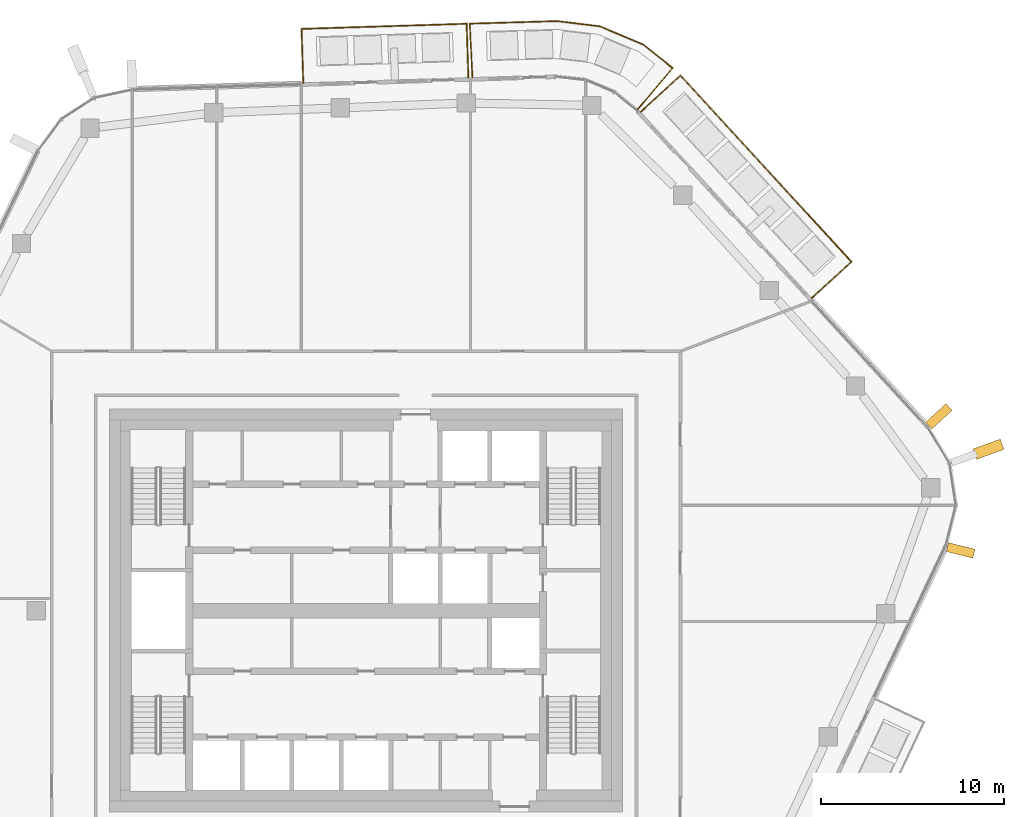
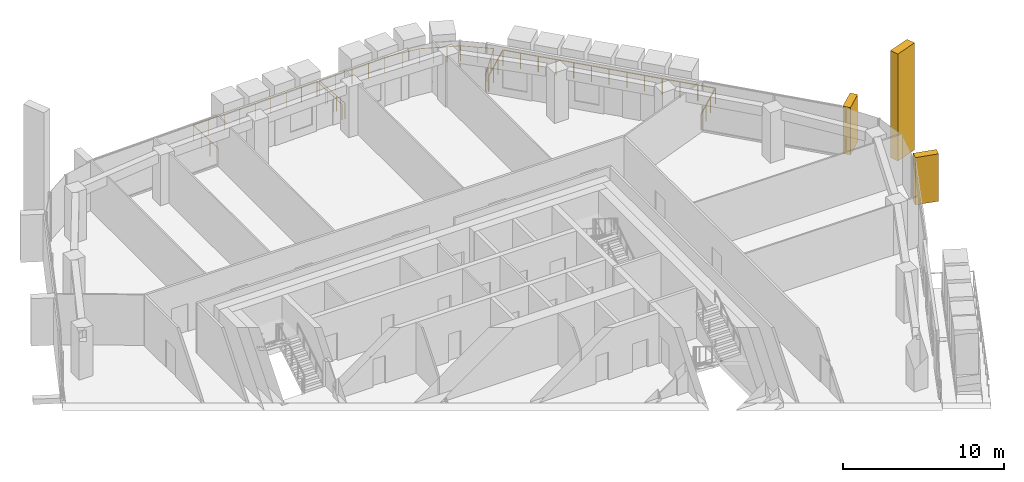
# One storey, part 24 of 24: 3 coverings, 3 railings, 2 elements without a shape of their own.
"""IFC4 building model written with IfcOpenShell, lengths in metres."""

import ifcopenshell
import ifcopenshell.guid

model = None  # the IFC model being written
_history = None  # IfcOwnerHistory: only IFC2X3 demands one
_inside = {}  # id of a spatial element -> (the spatial element, [elements in it])
_under = {}  # id of a project, library or spatial element -> (it, [spatial elements below it])
_declared = {}  # id of a project -> (the project, [libraries it declares])
_typed = {}  # id of a type object -> (the type object, [elements of that type])
_made_of = {}  # id of a material, layer set ... -> (it, [elements and type objects made of it])


def new_model(schema):
    """Start an empty IFC model of exactly this schema.

    Asked for "IFC4X3", IfcOpenShell would pick the latest addendum, in which some entities
    have other attributes; the version numbers below select the first issue.
    IFC2X3 requires an IfcOwnerHistory on every rooted entity: one is made here for all.
    """
    global model, _history
    if schema == "IFC4X3":
        model = ifcopenshell.file(schema_version=(4, 3, 0, 0))
    else:
        model = ifcopenshell.file(schema=schema)
    _inside.clear()
    _under.clear()
    _declared.clear()
    _typed.clear()
    _made_of.clear()
    _history = None
    if model.schema == "IFC2X3":
        org = make("IfcOrganization", Name="unknown")
        user = make(
            "IfcPersonAndOrganization",
            ThePerson=make("IfcPerson", FamilyName="unknown"),
            TheOrganization=org,
        )
        app = make(
            "IfcApplication",
            ApplicationDeveloper=org,
            Version="unknown",
            ApplicationFullName="unknown",
            ApplicationIdentifier="unknown",
        )
        _history = make(
            "IfcOwnerHistory",
            OwningUser=user,
            OwningApplication=app,
            ChangeAction="ADDED",
            CreationDate=0,
        )
    return model


def make(cls, **values):
    """One entity of the class cls with the attributes given. An attribute that is None is left unset."""
    return model.create_entity(
        cls, **{name: value for name, value in values.items() if value is not None}
    )


def rooted(cls, **values):
    """An entity with a GlobalId (a new one), such as an element, a storey or a relation."""
    return make(cls, GlobalId=ifcopenshell.guid.new(), OwnerHistory=_history, **values)


def si_unit(unit_type, name, prefix=None):
    """IfcSIUnit, for example si_unit("LENGTHUNIT", "METRE", prefix="MILLI")."""
    return make("IfcSIUnit", UnitType=unit_type, Prefix=prefix, Name=name)


def assignment(units):
    """IfcUnitAssignment: the units of a project."""
    return None if units is None else make("IfcUnitAssignment", Units=units)


def point(xyz):
    """IfcCartesianPoint."""
    return None if xyz is None else make("IfcCartesianPoint", Coordinates=xyz)


def direction(xyz):
    """IfcDirection."""
    return None if xyz is None else make("IfcDirection", DirectionRatios=xyz)


def frame(location, z_axis=None, x_axis=None):
    """IfcAxis2Placement3D, a coordinate frame: its origin and axes. An axis left out is left unset."""
    return make(
        "IfcAxis2Placement3D",
        Location=point(location),
        Axis=direction(z_axis),
        RefDirection=direction(x_axis),
    )


def frame_2d(location, x_axis=None):
    """IfcAxis2Placement2D, a coordinate frame in the plane: its origin and x axis."""
    return make(
        "IfcAxis2Placement2D", Location=point(location), RefDirection=direction(x_axis)
    )


def origin():
    """The frame at (0, 0, 0) with its axes left unset."""
    return frame((0.0, 0.0, 0.0))


def origin_2d():
    """The frame at (0, 0) in the plane with its x axis left unset."""
    return frame_2d((0.0, 0.0))


def place(relative_to, where):
    """IfcLocalPlacement: puts the frame where relative to a parent placement (None: the world)."""
    return make(
        "IfcLocalPlacement", PlacementRelTo=relative_to, RelativePlacement=where
    )


def context(
    kind, dimensions, precision=None, world=None, true_north=None, identifier=None
):
    """IfcGeometricRepresentationContext, for example the 3D "Model" context."""
    return make(
        "IfcGeometricRepresentationContext",
        ContextIdentifier=identifier,
        ContextType=kind,
        CoordinateSpaceDimension=dimensions,
        Precision=precision,
        WorldCoordinateSystem=world,
        TrueNorth=true_north,
    )


def subcontext(parent, identifier, kind, view, scale=None):
    """IfcGeometricRepresentationSubContext, for example "Body" below "Model"."""
    return make(
        "IfcGeometricRepresentationSubContext",
        ContextIdentifier=identifier,
        ContextType=kind,
        ParentContext=parent,
        TargetScale=scale,
        TargetView=view,
    )


def project(units=None, contexts=None):
    """IfcProject with its units and contexts."""
    return rooted(
        "IfcProject",
        Name="project",
        RepresentationContexts=contexts,
        UnitsInContext=assignment(units),
    )


def spatial(cls, under=None, at=None, **own):
    """A site, building, storey or space (cls), placed at a placement, below another one or the project."""
    s = rooted(cls, ObjectPlacement=at, **own)
    if under is not None:
        _under.setdefault(under.id(), (under, []))[1].append(s)
    return s


def profile(cls, at=None, kind="AREA", **sizes):
    """A parametric profile (cls). Its sizes go by their IFC names, for example OverallWidth=200.0."""
    return make(cls, ProfileType=kind, Position=at, **sizes)


def rectangle(**sizes):
    """IfcRectangleProfileDef."""
    return profile("IfcRectangleProfileDef", **sizes)


def circle(**sizes):
    """IfcCircleProfileDef."""
    return profile("IfcCircleProfileDef", **sizes)


def extrude(swept, where, along, depth):
    """IfcExtrudedAreaSolid: the profile swept, set in the frame where, extruded along a direction by depth."""
    return make(
        "IfcExtrudedAreaSolid",
        SweptArea=swept,
        Position=where,
        ExtrudedDirection=direction(along),
        Depth=depth,
    )


def shape(context_of_items, identifier, shape_type, items):
    """IfcShapeRepresentation: the items that make up one representation, for example the "Body"."""
    return make(
        "IfcShapeRepresentation",
        ContextOfItems=context_of_items,
        RepresentationIdentifier=identifier,
        RepresentationType=shape_type,
        Items=items,
    )


def material(Name=None, Category=None):
    """IfcMaterial."""
    return make("IfcMaterial", Name=Name, Category=Category)


def layer(
    of_material, thickness, ventilated=None, Name=None, Category=None, Priority=None
):
    """IfcMaterialLayer: one layer of a wall or slab, of a material (None: an air gap)."""
    return make(
        "IfcMaterialLayer",
        Material=of_material,
        LayerThickness=thickness,
        IsVentilated=ventilated,
        Name=Name,
        Category=Category,
        Priority=Priority,
    )


def layer_set(layers, Name=None):
    """IfcMaterialLayerSet."""
    return make("IfcMaterialLayerSet", MaterialLayers=layers, LayerSetName=Name)


def material_profile(
    of_material, cross_section, Name=None, Category=None, Priority=None
):
    """IfcMaterialProfile: a cross section and its material."""
    return make(
        "IfcMaterialProfile",
        Name=Name,
        Material=of_material,
        Profile=cross_section,
        Priority=Priority,
        Category=Category,
    )


def profile_set(profiles, Name=None, composite=None):
    """IfcMaterialProfileSet."""
    return make(
        "IfcMaterialProfileSet",
        Name=Name,
        MaterialProfiles=profiles,
        CompositeProfile=composite,
    )


def made_of(thing, what):
    """Note that an element or type object is made of a material, layer set ...; save() writes the relation."""
    if what is not None:
        _made_of.setdefault(what.id(), (what, []))[1].append(thing)
    return thing


def type_object(cls, material=None, **own):
    """A type object (cls), such as IfcWallType, which elements share."""
    return made_of(rooted(cls, **own), material)


def element(
    cls,
    number,
    at=None,
    inside=None,
    cuts=None,
    type_object=None,
    material=None,
    context=None,
    identifier="Body",
    shape_type=None,
    held_by="IfcProductDefinitionShape",
    body=None,
    shapes=None,
    **own,
):
    """One element of the class cls, such as IfcWall. Its Tag is "e" and its number.

    at: its placement. inside: the storey or other place that contains it. cuts: it is an
    opening in that element (IfcRelVoidsElement). A single representation is given by context,
    identifier, shape_type and body (its items); several are given by shapes. held_by: the class
    of the entity that holds the representations. save() writes the other relations.
    """
    e = rooted(cls, Tag="e%d" % number, ObjectPlacement=at, **own)
    if body is not None:
        shapes = [shape(context, identifier, shape_type, body)]
    if shapes is not None:
        e.Representation = make(held_by, Representations=shapes)
    if inside is not None:
        _inside.setdefault(inside.id(), (inside, []))[1].append(e)
    if cuts is not None:
        rooted(
            "IfcRelVoidsElement", RelatingBuildingElement=cuts, RelatedOpeningElement=e
        )
    if type_object is not None:
        _typed.setdefault(type_object.id(), (type_object, []))[1].append(e)
    return made_of(e, material)


def aggregate(whole, parts):
    """IfcRelAggregates: a whole, such as a stair, and the parts it consists of."""
    return rooted("IfcRelAggregates", RelatingObject=whole, RelatedObjects=parts)


def save(model, path):
    """Write the relations noted so far, then the file.

    IfcRelAggregates (storeys below a building ...), IfcRelContainedInSpatialStructure (elements
    in a storey), IfcRelDefinesByType, IfcRelAssociatesMaterial and IfcRelDeclares: one each for
    every whole, place, type object, material and project.
    """
    for whole, parts in _under.values():
        aggregate(whole, parts)
    for where, things in _inside.values():
        rooted(
            "IfcRelContainedInSpatialStructure",
            RelatedElements=things,
            RelatingStructure=where,
        )
    for kind, things in _typed.values():
        rooted("IfcRelDefinesByType", RelatedObjects=things, RelatingType=kind)
    for what, things in _made_of.values():
        rooted("IfcRelAssociatesMaterial", RelatedObjects=things, RelatingMaterial=what)
    for by, libraries in _declared.values():
        rooted("IfcRelDeclares", RelatingContext=by, RelatedDefinitions=libraries)
    model.write(path)


model = new_model("IFC4")

# Units and contexts
model_context = context("Model", 3, precision=1e-05, world=origin(), true_north=direction((0.0, 1.0)))
body_context = subcontext(model_context, "Body", "Model", "MODEL_VIEW")
ifc_project = project(units=[si_unit("LENGTHUNIT", "METRE"), si_unit("AREAUNIT", "SQUARE_METRE"), si_unit("VOLUMEUNIT", "CUBIC_METRE"), si_unit("PLANEANGLEUNIT", "RADIAN"), si_unit("MASSUNIT", "GRAM", prefix="KILO")], contexts=[model_context])

# Site, building, storey
site_placement = place(None, origin())
site = spatial("IfcSite", under=ifc_project, at=site_placement, CompositionType="ELEMENT")
building_placement = place(site_placement, origin())
building = spatial("IfcBuilding", under=site, at=building_placement, Name="Dongbaek Canopy Tower", CompositionType="ELEMENT")
storey_placement = place(building_placement, frame((0.0, 0.0, 344.60009765625)))
storey = spatial("IfcBuildingStorey", under=building, at=storey_placement, Name="L74", CompositionType="ELEMENT", Elevation=344.60009765625)

# Railings
ifc_material_1 = material(Name="Stainless steel", Category="steel")
railing_type = type_object("IfcRailingType", Name="Balcony balustrade 1200", PredefinedType="BALUSTRADE", material=ifc_material_1)
railing_1_placement = place(storey_placement, frame((24.31201171875, 17.046630859375, 0.0)))
element("IfcRailing", 1, at=railing_1_placement, inside=storey, type_object=railing_type, Name="Balcony guard L74 1", PredefinedType="BALUSTRADE", context=body_context, shape_type="SweptSolid", body=[
    extrude(circle(Radius=0.02392578125, at=origin_2d()), frame((0.0, 0.0, 1.17578125), z_axis=(0.736567880195, 0.676363628432, 0.0), x_axis=(-0.676363628432, 0.736567880195, 0.0)), (0.0, 0.0, 1.0), 2.93994140625),
    extrude(circle(Radius=0.02392578125, at=origin_2d()), frame((2.16552734375, 1.988525390625, 1.17578125), z_axis=(-0.676356791447, 0.736574158292, 0.0), x_axis=(-0.736574158292, -0.676356791447, 0.0)), (0.0, 0.0, 1.0), 13.792724609375),
    extrude(circle(Radius=0.02392578125, at=origin_2d()), frame((-7.163330078125, 12.14794921875, 1.17578125), z_axis=(-0.736567880195, -0.676363628432, 0.0), x_axis=(0.676363628432, -0.736567880195, 0.0)), (0.0, 0.0, 1.0), 2.93994140625),
    extrude(circle(Radius=0.02099609375, at=origin_2d()), origin(), (0.0, 0.0, 1.0), 1.15185546875),
    extrude(circle(Radius=0.02099609375, at=origin_2d()), frame((0.721923828125, 0.662841796875, 0.0)), (0.0, 0.0, 1.0), 1.15185546875),
    extrude(circle(Radius=0.02099609375, at=origin_2d()), frame((1.443603515625, 1.32568359375, 0.0)), (0.0, 0.0, 1.0), 1.15185546875),
    extrude(circle(Radius=0.02099609375, at=origin_2d()), frame((2.16552734375, 1.988525390625, 0.0)), (0.0, 0.0, 1.0), 1.15185546875),
    extrude(circle(Radius=0.02099609375, at=origin_2d()), frame((1.38818359375, 2.835205078125, 0.0)), (0.0, 0.0, 1.0), 1.15185546875),
    extrude(circle(Radius=0.02099609375, at=origin_2d()), frame((0.61083984375, 3.681640625, 0.0)), (0.0, 0.0, 1.0), 1.15185546875),
    extrude(circle(Radius=0.02099609375, at=origin_2d()), frame((-0.166748046875, 4.5283203125, 0.0)), (0.0, 0.0, 1.0), 1.15185546875),
    extrude(circle(Radius=0.02099609375, at=origin_2d()), frame((-0.944091796875, 5.375, 0.0)), (0.0, 0.0, 1.0), 1.15185546875),
    extrude(circle(Radius=0.02099609375, at=origin_2d()), frame((-1.721435546875, 6.2216796875, 0.0)), (0.0, 0.0, 1.0), 1.15185546875),
    extrude(circle(Radius=0.02099609375, at=origin_2d()), frame((-2.4990234375, 7.068359375, 0.0)), (0.0, 0.0, 1.0), 1.15185546875),
    extrude(circle(Radius=0.02099609375, at=origin_2d()), frame((-3.2763671875, 7.914794921875, 0.0)), (0.0, 0.0, 1.0), 1.15185546875),
    extrude(circle(Radius=0.02099609375, at=origin_2d()), frame((-4.0537109375, 8.761474609375, 0.0)), (0.0, 0.0, 1.0), 1.15185546875),
    extrude(circle(Radius=0.02099609375, at=origin_2d()), frame((-4.8310546875, 9.608154296875, 0.0)), (0.0, 0.0, 1.0), 1.15185546875),
    extrude(circle(Radius=0.02099609375, at=origin_2d()), frame((-5.6083984375, 10.45458984375, 0.0)), (0.0, 0.0, 1.0), 1.15185546875),
    extrude(circle(Radius=0.02099609375, at=origin_2d()), frame((-6.385986328125, 11.30126953125, 0.0)), (0.0, 0.0, 1.0), 1.15185546875),
    extrude(circle(Radius=0.02099609375, at=origin_2d()), frame((-7.163330078125, 12.14794921875, 0.0)), (0.0, 0.0, 1.0), 1.15185546875),
    extrude(circle(Radius=0.02099609375, at=origin_2d()), frame((-7.88525390625, 11.485107421875, 0.0)), (0.0, 0.0, 1.0), 1.15185546875),
    extrude(circle(Radius=0.02099609375, at=origin_2d()), frame((-8.60693359375, 10.822265625, 0.0)), (0.0, 0.0, 1.0), 1.15185546875),
    extrude(circle(Radius=0.02099609375, at=origin_2d()), frame((-9.328857421875, 10.159423828125, 0.0)), (0.0, 0.0, 1.0), 1.15185546875),
])
railing_2_placement = place(storey_placement, frame((5.5791015625, 29.079345703125, 0.0)))
element("IfcRailing", 2, at=railing_2_placement, inside=storey, type_object=railing_type, Name="Balcony guard L74 2", PredefinedType="BALUSTRADE", context=body_context, shape_type="SweptSolid", body=[
    extrude(circle(Radius=0.02392578125, at=origin_2d()), frame((0.0, 0.0, 1.17578125), z_axis=(-0.031055877799, 0.999517649896, 0.0), x_axis=(-0.999517649896, -0.031055877799, 0.0)), (0.0, 0.0, 1.0), 2.940185546875),
    extrude(circle(Radius=0.02392578125, at=origin_2d()), frame((-0.09130859375, 2.938720703125, 1.17578125), z_axis=(-0.999518948867, -0.031014042884, 0.0), x_axis=(0.031014042884, -0.999518948867, 0.0)), (0.0, 0.0, 1.0), 9.013427734375),
    extrude(circle(Radius=0.02392578125, at=origin_2d()), frame((-9.100341796875, 2.6591796875, 1.17578125), z_axis=(0.031055877799, -0.999517649896, 0.0), x_axis=(0.999517649896, 0.031055877799, 0.0)), (0.0, 0.0, 1.0), 2.940185546875),
    extrude(circle(Radius=0.02099609375, at=origin_2d()), origin(), (0.0, 0.0, 1.0), 1.15185546875),
    extrude(circle(Radius=0.02099609375, at=origin_2d()), frame((-0.030517578125, 0.9794921875, 0.0)), (0.0, 0.0, 1.0), 1.15185546875),
    extrude(circle(Radius=0.02099609375, at=origin_2d()), frame((-0.060791015625, 1.959228515625, 0.0)), (0.0, 0.0, 1.0), 1.15185546875),
    extrude(circle(Radius=0.02099609375, at=origin_2d()), frame((-0.09130859375, 2.938720703125, 0.0)), (0.0, 0.0, 1.0), 1.15185546875),
    extrude(circle(Radius=0.02099609375, at=origin_2d()), frame((-1.217529296875, 2.90380859375, 0.0)), (0.0, 0.0, 1.0), 1.15185546875),
    extrude(circle(Radius=0.02099609375, at=origin_2d()), frame((-2.343505859375, 2.868896484375, 0.0)), (0.0, 0.0, 1.0), 1.15185546875),
    extrude(circle(Radius=0.02099609375, at=origin_2d()), frame((-3.4697265625, 2.833984375, 0.0)), (0.0, 0.0, 1.0), 1.15185546875),
    extrude(circle(Radius=0.02099609375, at=origin_2d()), frame((-4.595703125, 2.798828125, 0.0)), (0.0, 0.0, 1.0), 1.15185546875),
    extrude(circle(Radius=0.02099609375, at=origin_2d()), frame((-5.721923828125, 2.763916015625, 0.0)), (0.0, 0.0, 1.0), 1.15185546875),
    extrude(circle(Radius=0.02099609375, at=origin_2d()), frame((-6.84814453125, 2.72900390625, 0.0)), (0.0, 0.0, 1.0), 1.15185546875),
    extrude(circle(Radius=0.02099609375, at=origin_2d()), frame((-7.97412109375, 2.694091796875, 0.0)), (0.0, 0.0, 1.0), 1.15185546875),
    extrude(circle(Radius=0.02099609375, at=origin_2d()), frame((-9.100341796875, 2.6591796875, 0.0)), (0.0, 0.0, 1.0), 1.15185546875),
    extrude(circle(Radius=0.02099609375, at=origin_2d()), frame((-9.06982421875, 1.6796875, 0.0)), (0.0, 0.0, 1.0), 1.15185546875),
    extrude(circle(Radius=0.02099609375, at=origin_2d()), frame((-9.03955078125, 0.699951171875, 0.0)), (0.0, 0.0, 1.0), 1.15185546875),
    extrude(circle(Radius=0.02099609375, at=origin_2d()), frame((-9.009033203125, -0.279541015625, 0.0)), (0.0, 0.0, 1.0), 1.15185546875),
])
railing_3_placement = place(storey_placement, frame((14.82373046875, 27.3564453125, 0.0)))
element("IfcRailing", 3, at=railing_3_placement, inside=storey, type_object=railing_type, Name="Balcony guard L74 6", PredefinedType="BALUSTRADE", context=body_context, shape_type="SweptSolid", body=[
    extrude(circle(Radius=0.02392578125, at=origin_2d()), frame((0.0, 0.0, 1.17578125), z_axis=(0.648168826179, 0.761496666289, 0.0), x_axis=(-0.761496666289, 0.648168826179, 0.0)), (0.0, 0.0, 1.0), 2.940673828125),
    extrude(circle(Radius=0.02392578125, at=origin_2d()), frame((1.906005859375, 2.2392578125, 1.17578125), z_axis=(-0.783584295669, 0.621285483157, 0.0), x_axis=(-0.621285483157, -0.783584295669, 0.0)), (0.0, 0.0, 1.0), 2.081787109375),
    extrude(circle(Radius=0.02392578125, at=origin_2d()), frame((0.274658203125, 3.53271484375, 1.17578125), z_axis=(-0.921660594861, 0.387997097774, 0.0), x_axis=(-0.387997097774, -0.921660594861, 0.0)), (0.0, 0.0, 1.0), 2.551025390625),
    extrude(circle(Radius=0.02392578125, at=origin_2d()), frame((-2.076416015625, 4.5224609375, 1.17578125), z_axis=(-0.992585875393, 0.121545382347, 0.0), x_axis=(-0.121545382347, -0.992585875393, 0.0)), (0.0, 0.0, 1.0), 2.342041015625),
    extrude(circle(Radius=0.02392578125, at=origin_2d()), frame((-4.401123046875, 4.80712890625, 1.17578125), z_axis=(-0.999566605211, -0.029438100246, 0.0), x_axis=(0.029438100246, -0.999566605211, 0.0)), (0.0, 0.0, 1.0), 4.77685546875),
    extrude(circle(Radius=0.02392578125, at=origin_2d()), frame((-9.176025390625, 4.66650390625, 1.17578125), z_axis=(0.051390976809, -0.998678610716, 0.0), x_axis=(0.998678610716, 0.051390976809, 0.0)), (0.0, 0.0, 1.0), 2.940673828125),
    extrude(circle(Radius=0.02099609375, at=origin_2d()), origin(), (0.0, 0.0, 1.0), 1.15185546875),
    extrude(circle(Radius=0.02099609375, at=origin_2d()), frame((0.63525390625, 0.746337890625, 0.0)), (0.0, 0.0, 1.0), 1.15185546875),
    extrude(circle(Radius=0.02099609375, at=origin_2d()), frame((1.270751953125, 1.492919921875, 0.0)), (0.0, 0.0, 1.0), 1.15185546875),
    extrude(circle(Radius=0.02099609375, at=origin_2d()), frame((1.906005859375, 2.2392578125, 0.0)), (0.0, 0.0, 1.0), 1.15185546875),
    extrude(circle(Radius=0.02099609375, at=origin_2d()), frame((1.09033203125, 2.885986328125, 0.0)), (0.0, 0.0, 1.0), 1.15185546875),
    extrude(circle(Radius=0.02099609375, at=origin_2d()), frame((0.274658203125, 3.53271484375, 0.0)), (0.0, 0.0, 1.0), 1.15185546875),
    extrude(circle(Radius=0.02099609375, at=origin_2d()), frame((-0.509033203125, 3.862548828125, 0.0)), (0.0, 0.0, 1.0), 1.15185546875),
    extrude(circle(Radius=0.02099609375, at=origin_2d()), frame((-1.292724609375, 4.192626953125, 0.0)), (0.0, 0.0, 1.0), 1.15185546875),
    extrude(circle(Radius=0.02099609375, at=origin_2d()), frame((-2.076416015625, 4.5224609375, 0.0)), (0.0, 0.0, 1.0), 1.15185546875),
    extrude(circle(Radius=0.02099609375, at=origin_2d()), frame((-3.23876953125, 4.664794921875, 0.0)), (0.0, 0.0, 1.0), 1.15185546875),
    extrude(circle(Radius=0.02099609375, at=origin_2d()), frame((-4.401123046875, 4.80712890625, 0.0)), (0.0, 0.0, 1.0), 1.15185546875),
    extrude(circle(Radius=0.02099609375, at=origin_2d()), frame((-5.5947265625, 4.77197265625, 0.0)), (0.0, 0.0, 1.0), 1.15185546875),
    extrude(circle(Radius=0.02099609375, at=origin_2d()), frame((-6.78857421875, 4.73681640625, 0.0)), (0.0, 0.0, 1.0), 1.15185546875),
    extrude(circle(Radius=0.02099609375, at=origin_2d()), frame((-7.982421875, 4.70166015625, 0.0)), (0.0, 0.0, 1.0), 1.15185546875),
    extrude(circle(Radius=0.02099609375, at=origin_2d()), frame((-9.176025390625, 4.66650390625, 0.0)), (0.0, 0.0, 1.0), 1.15185546875),
    extrude(circle(Radius=0.02099609375, at=origin_2d()), frame((-9.125732421875, 3.6875, 0.0)), (0.0, 0.0, 1.0), 1.15185546875),
    extrude(circle(Radius=0.02099609375, at=origin_2d()), frame((-9.0751953125, 2.708740234375, 0.0)), (0.0, 0.0, 1.0), 1.15185546875),
    extrude(circle(Radius=0.02099609375, at=origin_2d()), frame((-9.02490234375, 1.729736328125, 0.0)), (0.0, 0.0, 1.0), 1.15185546875),
])

# Curtain wall, coverings
ifc_material_2 = material(Name="Aluminium 6063-T6 pale anodised", Category="aluminium")
ifc_layer = layer(ifc_material_2, 0.199951171875)
ifc_layer_set = layer_set([ifc_layer], Name="CW-1 unitised tower curtain wall")
curtain_wall_type = type_object("IfcCurtainWallType", Name="CW-1 unitised tower curtain wall", PredefinedType="NOTDEFINED", material=ifc_layer_set)
curtain_wall_1_placement = place(storey_placement, origin())
curtain_wall_1 = element("IfcCurtainWall", 4, at=curtain_wall_1_placement, inside=storey, type_object=curtain_wall_type, Name="CW-1 curtain wall K0.1", PredefinedType="NOTDEFINED")
ifc_material_3 = material(Name="Aluminium 6063-T6 pale metal fin", Category="aluminium")
ifc_material_profile_1 = material_profile(ifc_material_3, rectangle(XDim=1.60009765625, YDim=0.60009765625, at=origin_2d()), Name="Corner fin CN1 600 x 1600 pale metal")
ifc_profile_set_1 = profile_set([ifc_material_profile_1], Name="Aluminium 6063-T6 pale metal fin")
covering_type_1 = type_object("IfcCoveringType", Name="Corner fin CN1 600 x 1600 pale metal", PredefinedType="CLADDING", material=ifc_profile_set_1)
covering_1_placement = place(storey_placement, frame((33.9482421875, 8.802978515625, -0.190185546875), z_axis=(0.0, 0.0, 1.0), x_axis=(0.940195416555, 0.340635551124, 0.0)))
covering_1 = element("IfcCovering", 5, at=covering_1_placement, type_object=covering_type_1, Name="Corner fin L74 L75 K0", PredefinedType="CLADDING", context=body_context, shape_type="SweptSolid", body=[
    extrude(rectangle(XDim=1.60009765625, YDim=0.60009765625, at=origin_2d()), origin(), (0.0, 0.0, 1.0), 8.090087890625),
])
ifc_material_4 = material(Name="Aluminium 6063-T6 pale metal fin", Category="aluminium")
ifc_material_profile_2 = material_profile(ifc_material_4, rectangle(XDim=1.5, YDim=0.5, at=origin_2d()), Name="Fin FN1 500 x 1500 pale metal")
ifc_profile_set_2 = profile_set([ifc_material_profile_2], Name="Aluminium 6063-T6 pale metal fin")
covering_type_2 = type_object("IfcCoveringType", Name="Fin FN1 500 x 1500 pale metal", PredefinedType="CLADDING", material=ifc_profile_set_2)
covering_2_placement = place(storey_placement, frame((32.436767578125, 3.282958984375, 0.119873046875), z_axis=(0.0, 0.0, 1.0), x_axis=(0.970078061665, -0.242793233587, 0.0)))
covering_2 = element("IfcCovering", 6, at=covering_2_placement, type_object=covering_type_2, Name="Fin K0.1.1", PredefinedType="CLADDING", context=body_context, shape_type="SweptSolid", body=[
    extrude(rectangle(XDim=1.5, YDim=0.5, at=origin_2d()), origin(), (0.0, 0.0, 1.0), 3.580078125),
])
aggregate(curtain_wall_1, [covering_2, covering_1])

# Curtain wall, covering
curtain_wall_2_placement = place(storey_placement, origin())
curtain_wall_2 = element("IfcCurtainWall", 7, at=curtain_wall_2_placement, inside=storey, type_object=curtain_wall_type, Name="CW-1 curtain wall F0.1", PredefinedType="NOTDEFINED")
covering_3_placement = place(storey_placement, frame((31.250732421875, 10.599365234375, 0.119873046875), z_axis=(0.0, 0.0, 1.0), x_axis=(0.736566571941, 0.676365053133, 0.0)))
covering_3 = element("IfcCovering", 8, at=covering_3_placement, type_object=covering_type_2, Name="Fin F0.1.1", PredefinedType="CLADDING", context=body_context, shape_type="SweptSolid", body=[
    extrude(rectangle(XDim=1.5, YDim=0.5, at=origin_2d()), origin(), (0.0, 0.0, 1.0), 3.580078125),
])
aggregate(curtain_wall_2, [covering_3])

save(model, "model.ifc")
